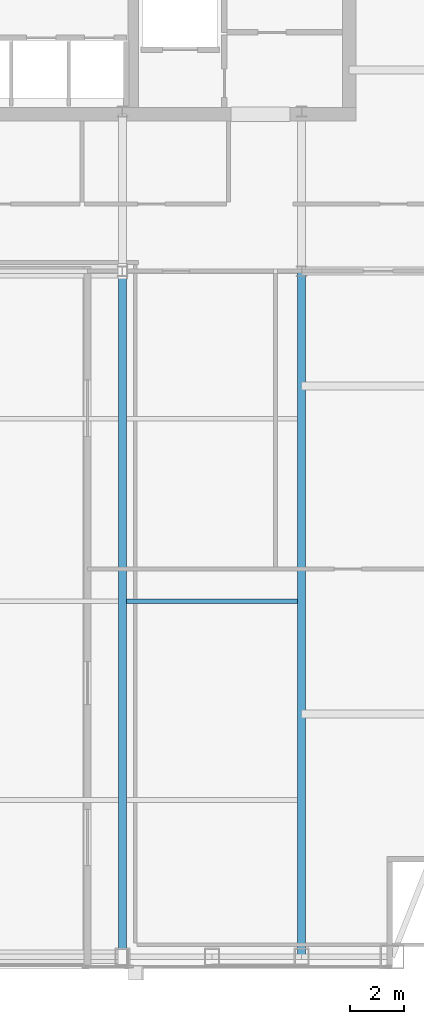
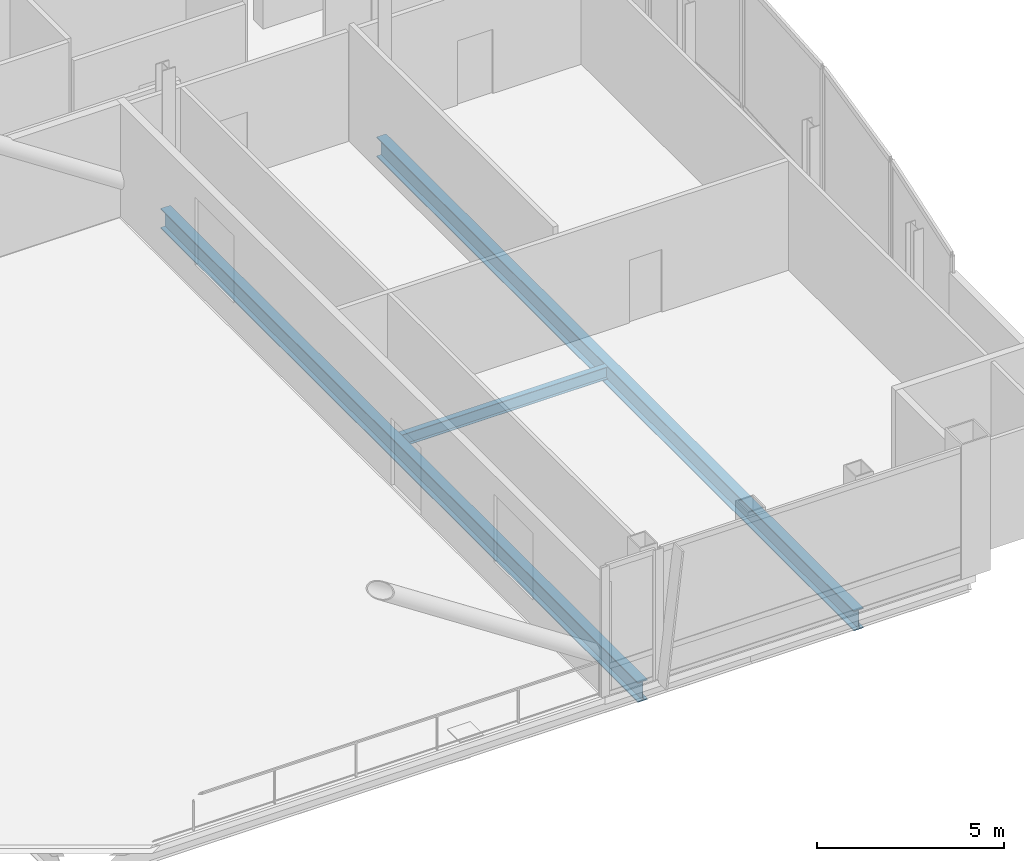
# One storey, part 13 of 27: 3 beams.
"""IFC4 building model written with IfcOpenShell, lengths in metres."""

from ifc_helpers import new_model, si_unit, direction, frame, origin, origin_2d, place, context, subcontext, project, spatial, i_section, extrude, material, material_profile, profile_set, type_object, element, save


model = new_model("IFC4")

# Units and contexts
model_context = context("Model", 3, precision=1e-05, world=origin(), true_north=direction((0.0, 1.0)))
body_context = subcontext(model_context, "Body", "Model", "MODEL_VIEW")
ifc_project = project(units=[si_unit("LENGTHUNIT", "METRE"), si_unit("AREAUNIT", "SQUARE_METRE"), si_unit("VOLUMEUNIT", "CUBIC_METRE"), si_unit("PLANEANGLEUNIT", "RADIAN"), si_unit("MASSUNIT", "GRAM", prefix="KILO")], contexts=[model_context])

# Site, building, storey
site_placement = place(None, origin())
site = spatial("IfcSite", under=ifc_project, at=site_placement, CompositionType="ELEMENT")
building_placement = place(site_placement, origin())
building = spatial("IfcBuilding", under=site, at=building_placement, Name="Khoronbel Lancet Exchange", CompositionType="ELEMENT")
storey_placement = place(building_placement, frame((0.0, 0.0, 305.800048828125)))
storey = spatial("IfcBuildingStorey", under=building, at=storey_placement, Name="L79", CompositionType="ELEMENT", Elevation=305.800048828125)

# Beams
ifc_material = material(Name="Steel S355", Category="steel")
ifc_material_profile_1 = material_profile(ifc_material, i_section(OverallWidth=0.300048828125, OverallDepth=0.64990234375, WebThickness=0.01611328125, FlangeThickness=0.031005859375, at=origin_2d()), Name="HEB 650")
ifc_profile_set_1 = profile_set([ifc_material_profile_1], Name="Steel S355")
beam_type_1 = type_object("IfcBeamType", Name="BM-BG4", PredefinedType="BEAM", material=ifc_profile_set_1)
for number, where, z_axis, x_axis, name in (
    (1, (48.0, 10.14990234375, -0.545166015625), (0.0, 1.0, 0.0), (-1.0, 0.0, 0.0), "Level L79 south primary girder GS5"),
    (2, (54.675048828125, 10.14990234375, -0.545166015625), (0.0, 1.0, 0.0), (-1.0, 0.0, 0.0), "Level L79 south primary girder GS6"),
):
    element("IfcBeam", number, at=place(storey_placement, frame(where, z_axis=z_axis, x_axis=x_axis)), inside=storey, type_object=beam_type_1, Name=name, PredefinedType="BEAM", context=body_context, shape_type="SweptSolid", body=[
        extrude(i_section(OverallWidth=0.300048828125, OverallDepth=0.64990234375, WebThickness=0.01611328125, FlangeThickness=0.031005859375, at=origin_2d()), origin(), (0.0, 0.0, 1.0), 25.550048828125),
    ])
ifc_material_profile_2 = material_profile(ifc_material, i_section(OverallWidth=0.179931640625, OverallDepth=0.39990234375, WebThickness=0.008544921875, FlangeThickness=0.013427734375, at=origin_2d()), Name="IPE 400")
ifc_profile_set_2 = profile_set([ifc_material_profile_2], Name="Steel S355")
beam_type_2 = type_object("IfcBeamType", Name="BM-BJ5", PredefinedType="JOIST", material=ifc_profile_set_2)
beam_placement = place(storey_placement, frame((48.14990234375, 23.39990234375, -0.420166015625), z_axis=(1.0, 0.0, 0.0), x_axis=(0.0, 1.0, 0.0)))
element("IfcBeam", 3, at=beam_placement, inside=storey, type_object=beam_type_2, Name="Level L79 secondary composite joist J10", PredefinedType="JOIST", context=body_context, shape_type="SweptSolid", body=[
    extrude(i_section(OverallWidth=0.179931640625, OverallDepth=0.39990234375, WebThickness=0.008544921875, FlangeThickness=0.013427734375, at=origin_2d()), origin(), (0.0, 0.0, 1.0), 6.375),
])

save(model, "model.ifc")
